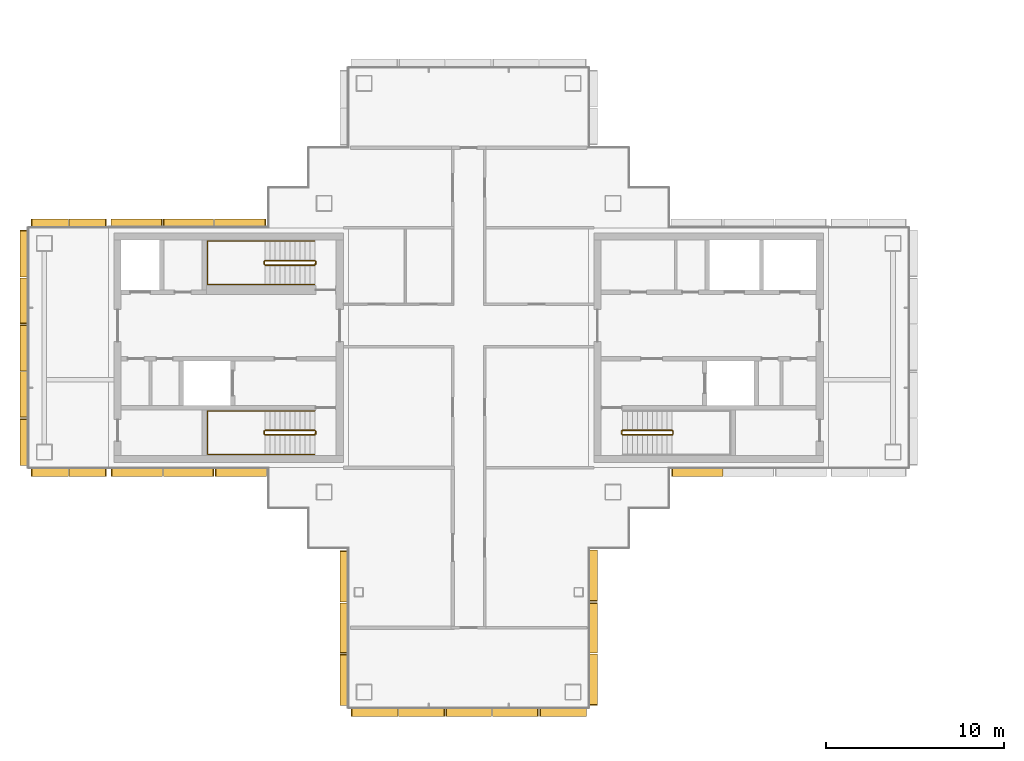
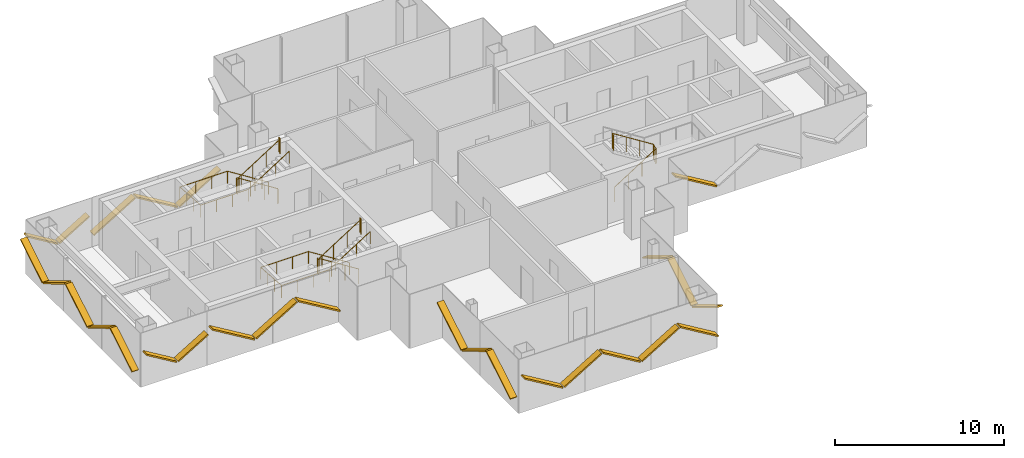
# One storey, part 14 of 17: 27 shading devices, 5 railings.
"""IFC4 building model written with IfcOpenShell, lengths in metres."""

from ifc_helpers import new_model, si_unit, direction, frame, origin, origin_2d, place, context, subcontext, project, spatial, rectangle, circle, extrude, material, material_profile, profile_set, type_object, element, save


model = new_model("IFC4")

# Units and contexts
model_context = context("Model", 3, precision=1e-05, world=origin(), true_north=direction((0.0, 1.0)))
body_context = subcontext(model_context, "Body", "Model", "MODEL_VIEW")
ifc_project = project(units=[si_unit("LENGTHUNIT", "METRE"), si_unit("AREAUNIT", "SQUARE_METRE"), si_unit("VOLUMEUNIT", "CUBIC_METRE"), si_unit("PLANEANGLEUNIT", "RADIAN"), si_unit("MASSUNIT", "GRAM", prefix="KILO")], contexts=[model_context])

# Site, building, storey
site_placement = place(None, origin())
site = spatial("IfcSite", under=ifc_project, at=site_placement, CompositionType="ELEMENT")
building_placement = place(site_placement, origin())
building = spatial("IfcBuilding", under=site, at=building_placement, Name="Shamsa Quay Exchange Towers", CompositionType="ELEMENT")
storey_placement = place(building_placement, frame((0.0, 0.0, 230.39990234375)))
storey = spatial("IfcBuildingStorey", under=building, at=storey_placement, Name="L55", CompositionType="ELEMENT", Elevation=230.39990234375)

# Shading devices
ifc_material_1 = material(Name="Aluminium EN AW-6063 T6, black anodised", Category="aluminium")
ifc_material_profile = material_profile(ifc_material_1, rectangle(XDim=0.449951171875, YDim=0.10009765625, at=origin_2d()), Name="FIN450x100")
ifc_profile_set = profile_set([ifc_material_profile], Name="Aluminium EN AW-6063 T6, black anodised")
shading_device_type = type_object("IfcShadingDeviceType", Name="FIN 450x100 BLACK ALUMINIUM", PredefinedType="USERDEFINED", material=ifc_profile_set)
shading_device_1_placement = place(storey_placement, frame((-40.764892578125, -11.43798828125, 2.45263671875), z_axis=(0.0, -0.857141320927, -0.515081310046), x_axis=(1.0, 0.0, 0.0)))
element("IfcShadingDevice", 1, at=shading_device_1_placement, inside=storey, type_object=shading_device_type, Name="FIN T1 chevron rib", ObjectType="FIN", PredefinedType="USERDEFINED", context=body_context, shape_type="SweptSolid", body=[
    extrude(rectangle(XDim=0.449951171875, YDim=0.10009765625, at=origin_2d()), origin(), (0.0, 0.0, 1.0), 3.310302734375),
])
shading_device_2_placement = place(storey_placement, frame((-40.764892578125, -14.375244140625, 0.7626953125), z_axis=(0.0, -0.857168152113, 0.515036657922), x_axis=(1.0, 0.0, 0.0)))
element("IfcShadingDevice", 2, at=shading_device_2_placement, inside=storey, type_object=shading_device_type, Name="FIN T1 chevron rib", ObjectType="FIN", PredefinedType="USERDEFINED", context=body_context, shape_type="SweptSolid", body=[
    extrude(rectangle(XDim=0.449951171875, YDim=0.10009765625, at=origin_2d()), origin(), (0.0, 0.0, 1.0), 3.251708984375),
])
shading_device_3_placement = place(storey_placement, frame((-40.764892578125, -17.2626953125, 2.45263671875), z_axis=(0.0, -0.857141320927, -0.515081310046), x_axis=(1.0, 0.0, 0.0)))
element("IfcShadingDevice", 3, at=shading_device_3_placement, inside=storey, type_object=shading_device_type, Name="FIN T1 chevron rib", ObjectType="FIN", PredefinedType="USERDEFINED", context=body_context, shape_type="SweptSolid", body=[
    extrude(rectangle(XDim=0.449951171875, YDim=0.10009765625, at=origin_2d()), origin(), (0.0, 0.0, 1.0), 3.310302734375),
])
shading_device_4_placement = place(storey_placement, frame((-40.35009765625, -20.514892578125, 2.378173828125), z_axis=(0.857186216295, 0.0, -0.515006592767), x_axis=(0.0, 1.0, 0.0)))
element("IfcShadingDevice", 4, at=shading_device_4_placement, inside=storey, type_object=shading_device_type, Name="FIN T1 chevron rib", ObjectType="FIN", PredefinedType="USERDEFINED", context=body_context, shape_type="SweptSolid", body=[
    extrude(rectangle(XDim=0.449951171875, YDim=0.10009765625, at=origin_2d()), origin(), (0.0, 0.0, 1.0), 3.021728515625),
])
shading_device_5_placement = place(storey_placement, frame((-37.659912109375, -20.514892578125, 0.8369140625), z_axis=(0.857121939939, 0.0, 0.515113560367), x_axis=(0.0, 1.0, 0.0)))
element("IfcShadingDevice", 5, at=shading_device_5_placement, inside=storey, type_object=shading_device_type, Name="FIN T1 chevron rib", ObjectType="FIN", PredefinedType="USERDEFINED", context=body_context, shape_type="SweptSolid", body=[
    extrude(rectangle(XDim=0.449951171875, YDim=0.10009765625, at=origin_2d()), origin(), (0.0, 0.0, 1.0), 2.963134765625),
])
shading_device_6_placement = place(storey_placement, frame((-35.02001953125, -20.514892578125, 2.36328125), z_axis=(0.857143799628, 0.0, -0.515077185244), x_axis=(0.0, 1.0, 0.0)))
element("IfcShadingDevice", 6, at=shading_device_6_placement, inside=storey, type_object=shading_device_type, Name="FIN T1 chevron rib", ObjectType="FIN", PredefinedType="USERDEFINED", context=body_context, shape_type="SweptSolid", body=[
    extrude(rectangle(XDim=0.449951171875, YDim=0.10009765625, at=origin_2d()), origin(), (0.0, 0.0, 1.0), 2.96337890625),
])
shading_device_7_placement = place(storey_placement, frame((-32.3798828125, -20.514892578125, 0.8369140625), z_axis=(0.857121939939, 0.0, 0.515113560367), x_axis=(0.0, 1.0, 0.0)))
element("IfcShadingDevice", 7, at=shading_device_7_placement, inside=storey, type_object=shading_device_type, Name="FIN T1 chevron rib", ObjectType="FIN", PredefinedType="USERDEFINED", context=body_context, shape_type="SweptSolid", body=[
    extrude(rectangle(XDim=0.449951171875, YDim=0.10009765625, at=origin_2d()), origin(), (0.0, 0.0, 1.0), 2.963134765625),
])
shading_device_8_placement = place(storey_placement, frame((-29.739990234375, -20.514892578125, 2.378173828125), z_axis=(0.857186216295, 0.0, -0.515006592767), x_axis=(0.0, 1.0, 0.0)))
element("IfcShadingDevice", 8, at=shading_device_8_placement, inside=storey, type_object=shading_device_type, Name="FIN T1 chevron rib", ObjectType="FIN", PredefinedType="USERDEFINED", context=body_context, shape_type="SweptSolid", body=[
    extrude(rectangle(XDim=0.449951171875, YDim=0.10009765625, at=origin_2d()), origin(), (0.0, 0.0, 1.0), 3.021728515625),
])
shading_device_9_placement = place(storey_placement, frame((-26.735107421875, -20.10009765625, 2.456298828125), z_axis=(0.0, 0.857181785947, -0.515013966646), x_axis=(-1.0, 0.0, 0.0)))
element("IfcShadingDevice", 9, at=shading_device_9_placement, inside=storey, type_object=shading_device_type, Name="FIN T1 chevron rib", ObjectType="FIN", PredefinedType="USERDEFINED", context=body_context, shape_type="SweptSolid", body=[
    extrude(rectangle(XDim=0.449951171875, YDim=0.10009765625, at=origin_2d()), origin(), (0.0, 0.0, 1.0), 3.324951171875),
])
shading_device_10_placement = place(storey_placement, frame((-26.735107421875, -17.14990234375, 0.7587890625), z_axis=(0.0, 0.857123399088, 0.515111132413), x_axis=(-1.0, 0.0, 0.0)))
element("IfcShadingDevice", 10, at=shading_device_10_placement, inside=storey, type_object=shading_device_type, Name="FIN T1 chevron rib", ObjectType="FIN", PredefinedType="USERDEFINED", context=body_context, shape_type="SweptSolid", body=[
    extrude(rectangle(XDim=0.449951171875, YDim=0.10009765625, at=origin_2d()), origin(), (0.0, 0.0, 1.0), 3.2666015625),
])
shading_device_11_placement = place(storey_placement, frame((-26.735107421875, -14.25, 2.456298828125), z_axis=(0.0, 0.857181785947, -0.515013966646), x_axis=(-1.0, 0.0, 0.0)))
element("IfcShadingDevice", 11, at=shading_device_11_placement, inside=storey, type_object=shading_device_type, Name="FIN T1 chevron rib", ObjectType="FIN", PredefinedType="USERDEFINED", context=body_context, shape_type="SweptSolid", body=[
    extrude(rectangle(XDim=0.449951171875, YDim=0.10009765625, at=origin_2d()), origin(), (0.0, 0.0, 1.0), 3.324951171875),
])
for number, where, z_axis, x_axis, name in (
    (12, (-22.31201171875, -7.01904296875, 2.45263671875), (0.857141320927, 0.0, -0.515081310046), (0.0, 1.0, 0.0), "FIN T1 chevron rib"),
    (13, (-45.18798828125, 7.01904296875, 2.45263671875), (-0.857141320927, 0.0, -0.515081310046), (0.0, -1.0, 0.0), "FIN T1 chevron rib"),
):
    element("IfcShadingDevice", number, at=place(storey_placement, frame(where, z_axis=z_axis, x_axis=x_axis)), inside=storey, type_object=shading_device_type, Name=name, ObjectType="FIN", PredefinedType="USERDEFINED", context=body_context, shape_type="SweptSolid", body=[
        extrude(rectangle(XDim=0.449951171875, YDim=0.10009765625, at=origin_2d()), origin(), (0.0, 0.0, 1.0), 3.310302734375),
    ])
shading_device_12_placement = place(storey_placement, frame((-48.125244140625, 7.01904296875, 0.7626953125), z_axis=(-0.857168152113, 0.0, 0.515036657922), x_axis=(0.0, -1.0, 0.0)))
element("IfcShadingDevice", 14, at=shading_device_12_placement, inside=storey, type_object=shading_device_type, Name="FIN T1 chevron rib", ObjectType="FIN", PredefinedType="USERDEFINED", context=body_context, shape_type="SweptSolid", body=[
    extrude(rectangle(XDim=0.449951171875, YDim=0.10009765625, at=origin_2d()), origin(), (0.0, 0.0, 1.0), 3.251708984375),
])
shading_device_13_placement = place(storey_placement, frame((-51.0126953125, 7.01904296875, 2.45263671875), z_axis=(-0.857141320927, 0.0, -0.515081310046), x_axis=(0.0, -1.0, 0.0)))
element("IfcShadingDevice", 15, at=shading_device_13_placement, inside=storey, type_object=shading_device_type, Name="FIN T1 chevron rib", ObjectType="FIN", PredefinedType="USERDEFINED", context=body_context, shape_type="SweptSolid", body=[
    extrude(rectangle(XDim=0.449951171875, YDim=0.10009765625, at=origin_2d()), origin(), (0.0, 0.0, 1.0), 3.310302734375),
])
for number, where, z_axis, x_axis, name in (
    (16, (-54.14990234375, 7.014892578125, 2.216064453125), (-0.857141460525, 0.0, -0.515081077743), (0.0, -1.0, 0.0), "FIN T1 chevron rib"),
    (17, (-56.300048828125, 7.014892578125, 0.984130859375), (-0.857141460525, 0.0, 0.515081077743), (0.0, -1.0, 0.0), "FIN T1 chevron rib"),
):
    element("IfcShadingDevice", number, at=place(storey_placement, frame(where, z_axis=z_axis, x_axis=x_axis)), inside=storey, type_object=shading_device_type, Name=name, ObjectType="FIN", PredefinedType="USERDEFINED", context=body_context, shape_type="SweptSolid", body=[
        extrude(rectangle(XDim=0.449951171875, YDim=0.10009765625, at=origin_2d()), origin(), (0.0, 0.0, 1.0), 2.391845703125),
    ])
shading_device_14_placement = place(storey_placement, frame((-58.764892578125, 6.60009765625, 2.378173828125), z_axis=(0.0, -0.857186216295, -0.515006592767), x_axis=(1.0, 0.0, 0.0)))
element("IfcShadingDevice", 18, at=shading_device_14_placement, inside=storey, type_object=shading_device_type, Name="FIN T1 chevron rib", ObjectType="FIN", PredefinedType="USERDEFINED", context=body_context, shape_type="SweptSolid", body=[
    extrude(rectangle(XDim=0.449951171875, YDim=0.10009765625, at=origin_2d()), origin(), (0.0, 0.0, 1.0), 3.021728515625),
])
shading_device_15_placement = place(storey_placement, frame((-58.764892578125, 3.909912109375, 0.8369140625), z_axis=(0.0, -0.857121939939, 0.515113560367), x_axis=(1.0, 0.0, 0.0)))
element("IfcShadingDevice", 19, at=shading_device_15_placement, inside=storey, type_object=shading_device_type, Name="FIN T1 chevron rib", ObjectType="FIN", PredefinedType="USERDEFINED", context=body_context, shape_type="SweptSolid", body=[
    extrude(rectangle(XDim=0.449951171875, YDim=0.10009765625, at=origin_2d()), origin(), (0.0, 0.0, 1.0), 2.963134765625),
])
shading_device_16_placement = place(storey_placement, frame((-58.764892578125, 1.27001953125, 2.36328125), z_axis=(0.0, -0.857143799628, -0.515077185244), x_axis=(1.0, 0.0, 0.0)))
element("IfcShadingDevice", 20, at=shading_device_16_placement, inside=storey, type_object=shading_device_type, Name="FIN T1 chevron rib", ObjectType="FIN", PredefinedType="USERDEFINED", context=body_context, shape_type="SweptSolid", body=[
    extrude(rectangle(XDim=0.449951171875, YDim=0.10009765625, at=origin_2d()), origin(), (0.0, 0.0, 1.0), 2.96337890625),
])
shading_device_17_placement = place(storey_placement, frame((-58.764892578125, -1.3701171875, 0.8369140625), z_axis=(0.0, -0.857121939939, 0.515113560367), x_axis=(1.0, 0.0, 0.0)))
element("IfcShadingDevice", 21, at=shading_device_17_placement, inside=storey, type_object=shading_device_type, Name="FIN T1 chevron rib", ObjectType="FIN", PredefinedType="USERDEFINED", context=body_context, shape_type="SweptSolid", body=[
    extrude(rectangle(XDim=0.449951171875, YDim=0.10009765625, at=origin_2d()), origin(), (0.0, 0.0, 1.0), 2.963134765625),
])
shading_device_18_placement = place(storey_placement, frame((-58.764892578125, -4.010009765625, 2.378173828125), z_axis=(0.0, -0.857186216295, -0.515006592767), x_axis=(1.0, 0.0, 0.0)))
element("IfcShadingDevice", 22, at=shading_device_18_placement, inside=storey, type_object=shading_device_type, Name="FIN T1 chevron rib", ObjectType="FIN", PredefinedType="USERDEFINED", context=body_context, shape_type="SweptSolid", body=[
    extrude(rectangle(XDim=0.449951171875, YDim=0.10009765625, at=origin_2d()), origin(), (0.0, 0.0, 1.0), 3.021728515625),
])
for number, where, z_axis, x_axis, name in (
    (23, (-58.35009765625, -7.014892578125, 2.216064453125), (0.857141460525, 0.0, -0.515081077743), (0.0, 1.0, 0.0), "FIN T1 chevron rib"),
    (24, (-56.199951171875, -7.014892578125, 0.984130859375), (0.857141460525, 0.0, 0.515081077743), (0.0, 1.0, 0.0), "FIN T1 chevron rib"),
):
    element("IfcShadingDevice", number, at=place(storey_placement, frame(where, z_axis=z_axis, x_axis=x_axis)), inside=storey, type_object=shading_device_type, Name=name, ObjectType="FIN", PredefinedType="USERDEFINED", context=body_context, shape_type="SweptSolid", body=[
        extrude(rectangle(XDim=0.449951171875, YDim=0.10009765625, at=origin_2d()), origin(), (0.0, 0.0, 1.0), 2.391845703125),
    ])
shading_device_19_placement = place(storey_placement, frame((-53.85009765625, -7.01904296875, 2.456298828125), z_axis=(0.857181785947, 0.0, -0.515013966646), x_axis=(0.0, 1.0, 0.0)))
element("IfcShadingDevice", 25, at=shading_device_19_placement, inside=storey, type_object=shading_device_type, Name="FIN T1 chevron rib", ObjectType="FIN", PredefinedType="USERDEFINED", context=body_context, shape_type="SweptSolid", body=[
    extrude(rectangle(XDim=0.449951171875, YDim=0.10009765625, at=origin_2d()), origin(), (0.0, 0.0, 1.0), 3.324951171875),
])
shading_device_20_placement = place(storey_placement, frame((-50.89990234375, -7.01904296875, 0.7587890625), z_axis=(0.857123399088, 0.0, 0.515111132413), x_axis=(0.0, 1.0, 0.0)))
element("IfcShadingDevice", 26, at=shading_device_20_placement, inside=storey, type_object=shading_device_type, Name="FIN T1 chevron rib", ObjectType="FIN", PredefinedType="USERDEFINED", context=body_context, shape_type="SweptSolid", body=[
    extrude(rectangle(XDim=0.449951171875, YDim=0.10009765625, at=origin_2d()), origin(), (0.0, 0.0, 1.0), 3.2666015625),
])
shading_device_21_placement = place(storey_placement, frame((-48.0, -7.01904296875, 2.456298828125), z_axis=(0.857181785947, 0.0, -0.515013966646), x_axis=(0.0, 1.0, 0.0)))
element("IfcShadingDevice", 27, at=shading_device_21_placement, inside=storey, type_object=shading_device_type, Name="FIN T1 chevron rib", ObjectType="FIN", PredefinedType="USERDEFINED", context=body_context, shape_type="SweptSolid", body=[
    extrude(rectangle(XDim=0.449951171875, YDim=0.10009765625, at=origin_2d()), origin(), (0.0, 0.0, 1.0), 3.324951171875),
])

# Railings
ifc_material_2 = material(Name="Stainless steel", Category="steel")
railing_type_1 = type_object("IfcRailingType", Name="STAIR GUARD 1100", PredefinedType="GUARDRAIL", material=ifc_material_2)
railing_1_placement = place(storey_placement, frame((-25.10009765625, -4.89990234375, 0.177490234375)))
element("IfcRailing", 28, at=railing_1_placement, inside=storey, type_object=railing_type_1, Name="L55 ST1 stair guard 1", PredefinedType="GUARDRAIL", context=body_context, shape_type="SweptSolid", body=[
    extrude(circle(Radius=0.02392578125, at=origin_2d()), frame((0.0, 0.0, 1.076171875), z_axis=(0.844908973607, 0.0, 0.534910110503), x_axis=(0.0, 1.0, 0.0)), (0.0, 0.0, 1.0), 3.31396484375),
    extrude(circle(Radius=0.02392578125, at=origin_2d()), frame((2.800048828125, 0.0, 2.8486328125), z_axis=(0.708833529934, 0.705375805398, 0.0), x_axis=(-0.705375805398, 0.708833529934, 0.0)), (0.0, 0.0, 1.0), 0.070556640625),
    extrude(circle(Radius=0.02392578125, at=origin_2d()), frame((2.85009765625, 0.0498046875, 2.8486328125), z_axis=(0.0, 1.0, 0.0), x_axis=(-1.0, 0.0, 0.0)), (0.0, 0.0, 1.0), 0.150146484375),
    extrude(circle(Radius=0.02392578125, at=origin_2d()), frame((2.85009765625, 0.199951171875, 2.8486328125), z_axis=(-0.262233686654, 0.262233686654, 0.928691007369), x_axis=(-0.707106781187, -0.707106781187, 0.0)), (0.0, 0.0, 1.0), 0.19091796875),
    extrude(circle(Radius=0.02392578125, at=origin_2d()), frame((2.800048828125, 0.25, 3.02587890625), z_axis=(-0.844908973607, 0.0, 0.534910110503), x_axis=(0.0, -1.0, 0.0)), (0.0, 0.0, 1.0), 3.31396484375),
    extrude(circle(Radius=0.02392578125, at=origin_2d()), frame((0.0, 0.25, 4.798828125), z_axis=(-0.24142163986, -0.970420317083, 0.0), x_axis=(0.970420317083, -0.24142163986, 0.0)), (0.0, 0.0, 1.0), 0.206298828125),
    extrude(circle(Radius=0.02392578125, at=origin_2d()), frame((-0.0498046875, 0.0498046875, 4.798828125), z_axis=(0.0, 1.0, 0.0), x_axis=(-1.0, 0.0, 0.0)), (0.0, 0.0, 1.0), 0.150146484375),
    extrude(circle(Radius=0.02099609375, at=origin_2d()), origin(), (0.0, 0.0, 1.0), 1.052001953125),
    extrude(circle(Radius=0.02099609375, at=origin_2d()), frame((0.933349609375, 0.0, 0.5908203125)), (0.0, 0.0, 1.0), 1.052001953125),
    extrude(circle(Radius=0.02099609375, at=origin_2d()), frame((1.86669921875, 0.0, 1.181884765625)), (0.0, 0.0, 1.0), 1.052001953125),
    extrude(circle(Radius=0.02099609375, at=origin_2d()), frame((2.800048828125, 0.0, 1.772705078125)), (0.0, 0.0, 1.0), 1.052001953125),
    extrude(circle(Radius=0.02099609375, at=origin_2d()), frame((2.85009765625, 0.0498046875, 1.772705078125)), (0.0, 0.0, 1.0), 1.052001953125),
    extrude(circle(Radius=0.02099609375, at=origin_2d()), frame((2.85009765625, 0.199951171875, 1.772705078125)), (0.0, 0.0, 1.0), 1.052001953125),
    extrude(circle(Radius=0.02099609375, at=origin_2d()), frame((2.800048828125, 0.25, 1.949951171875)), (0.0, 0.0, 1.0), 1.052001953125),
    extrude(circle(Radius=0.02099609375, at=origin_2d()), frame((1.86669921875, 0.25, 2.540771484375)), (0.0, 0.0, 1.0), 1.052001953125),
    extrude(circle(Radius=0.02099609375, at=origin_2d()), frame((0.933349609375, 0.25, 3.1318359375)), (0.0, 0.0, 1.0), 1.052001953125),
    extrude(circle(Radius=0.02099609375, at=origin_2d()), frame((0.0, 0.25, 3.72265625)), (0.0, 0.0, 1.0), 1.052001953125),
    extrude(circle(Radius=0.02099609375, at=origin_2d()), frame((-0.0498046875, 0.0498046875, 3.72265625)), (0.0, 0.0, 1.0), 1.052001953125),
    extrude(circle(Radius=0.02099609375, at=origin_2d()), frame((-0.0498046875, 0.199951171875, 3.72265625)), (0.0, 0.0, 1.0), 1.052001953125),
])
railing_2_placement = place(storey_placement, frame((-42.39990234375, -4.64990234375, 0.177490234375)))
element("IfcRailing", 29, at=railing_2_placement, inside=storey, type_object=railing_type_1, Name="L55 ST2 stair guard 1", PredefinedType="GUARDRAIL", context=body_context, shape_type="SweptSolid", body=[
    extrude(circle(Radius=0.02392578125, at=origin_2d()), frame((0.0, 0.0, 1.076171875), z_axis=(-0.844908973607, 0.0, 0.534910110503), x_axis=(0.0, -1.0, 0.0)), (0.0, 0.0, 1.0), 3.31396484375),
    extrude(circle(Radius=0.02392578125, at=origin_2d()), frame((-2.800048828125, 0.0, 2.8486328125), z_axis=(-0.707106781187, -0.707106781187, 0.0), x_axis=(0.707106781187, -0.707106781187, 0.0)), (0.0, 0.0, 1.0), 0.07080078125),
    extrude(circle(Radius=0.02392578125, at=origin_2d()), frame((-2.85009765625, -0.050048828125, 2.8486328125), z_axis=(0.0, -1.0, 0.0), x_axis=(1.0, 0.0, 0.0)), (0.0, 0.0, 1.0), 0.150146484375),
    extrude(circle(Radius=0.02392578125, at=origin_2d()), frame((-2.85009765625, -0.2001953125, 2.8486328125), z_axis=(0.262321481514, -0.261041864531, 0.929001929653), x_axis=(0.705375805398, 0.708833529934, 0.0)), (0.0, 0.0, 1.0), 0.190673828125),
    extrude(circle(Radius=0.02392578125, at=origin_2d()), frame((-2.800048828125, -0.25, 3.02587890625), z_axis=(0.844908973607, 0.0, 0.534910110503), x_axis=(0.0, 1.0, 0.0)), (0.0, 0.0, 1.0), 3.31396484375),
    extrude(circle(Radius=0.02392578125, at=origin_2d()), frame((0.0, -0.25, 4.798828125), z_axis=(0.241699205484, 0.970351222016, 0.0), x_axis=(-0.970351222016, 0.241699205484, 0.0)), (0.0, 0.0, 1.0), 0.2060546875),
    extrude(circle(Radius=0.02392578125, at=origin_2d()), frame((0.0498046875, -0.050048828125, 4.798828125), z_axis=(0.0, -1.0, 0.0), x_axis=(1.0, 0.0, 0.0)), (0.0, 0.0, 1.0), 0.150146484375),
    extrude(circle(Radius=0.02099609375, at=origin_2d()), origin(), (0.0, 0.0, 1.0), 1.052001953125),
    extrude(circle(Radius=0.02099609375, at=origin_2d()), frame((-0.933349609375, 0.0, 0.5908203125)), (0.0, 0.0, 1.0), 1.052001953125),
    extrude(circle(Radius=0.02099609375, at=origin_2d()), frame((-1.86669921875, 0.0, 1.181884765625)), (0.0, 0.0, 1.0), 1.052001953125),
    extrude(circle(Radius=0.02099609375, at=origin_2d()), frame((-2.800048828125, 0.0, 1.772705078125)), (0.0, 0.0, 1.0), 1.052001953125),
    extrude(circle(Radius=0.02099609375, at=origin_2d()), frame((-2.85009765625, -0.050048828125, 1.772705078125)), (0.0, 0.0, 1.0), 1.052001953125),
    extrude(circle(Radius=0.02099609375, at=origin_2d()), frame((-2.85009765625, -0.2001953125, 1.772705078125)), (0.0, 0.0, 1.0), 1.052001953125),
    extrude(circle(Radius=0.02099609375, at=origin_2d()), frame((-2.800048828125, -0.25, 1.949951171875)), (0.0, 0.0, 1.0), 1.052001953125),
    extrude(circle(Radius=0.02099609375, at=origin_2d()), frame((-1.86669921875, -0.25, 2.540771484375)), (0.0, 0.0, 1.0), 1.052001953125),
    extrude(circle(Radius=0.02099609375, at=origin_2d()), frame((-0.933349609375, -0.25, 3.1318359375)), (0.0, 0.0, 1.0), 1.052001953125),
    extrude(circle(Radius=0.02099609375, at=origin_2d()), frame((0.0, -0.25, 3.72265625)), (0.0, 0.0, 1.0), 1.052001953125),
    extrude(circle(Radius=0.02099609375, at=origin_2d()), frame((0.0498046875, -0.050048828125, 3.72265625)), (0.0, 0.0, 1.0), 1.052001953125),
    extrude(circle(Radius=0.02099609375, at=origin_2d()), frame((0.0498046875, -0.2001953125, 3.72265625)), (0.0, 0.0, 1.0), 1.052001953125),
])
railing_3_placement = place(storey_placement, frame((-42.39990234375, 4.89990234375, 0.177490234375)))
element("IfcRailing", 30, at=railing_3_placement, inside=storey, type_object=railing_type_1, Name="L55 ST3 stair guard 1", PredefinedType="GUARDRAIL", context=body_context, shape_type="SweptSolid", body=[
    extrude(circle(Radius=0.02392578125, at=origin_2d()), frame((0.0, 0.0, 1.076171875), z_axis=(-0.844908973607, 0.0, 0.534910110503), x_axis=(0.0, -1.0, 0.0)), (0.0, 0.0, 1.0), 3.31396484375),
    extrude(circle(Radius=0.02392578125, at=origin_2d()), frame((-2.800048828125, 0.0, 2.8486328125), z_axis=(-0.708833529934, -0.705375805398, 0.0), x_axis=(0.705375805398, -0.708833529934, 0.0)), (0.0, 0.0, 1.0), 0.070556640625),
    extrude(circle(Radius=0.02392578125, at=origin_2d()), frame((-2.85009765625, -0.0498046875, 2.8486328125), z_axis=(0.0, -1.0, 0.0), x_axis=(1.0, 0.0, 0.0)), (0.0, 0.0, 1.0), 0.150146484375),
    extrude(circle(Radius=0.02392578125, at=origin_2d()), frame((-2.85009765625, -0.199951171875, 2.8486328125), z_axis=(0.262233686654, -0.262233686654, 0.928691007369), x_axis=(0.707106781187, 0.707106781187, 0.0)), (0.0, 0.0, 1.0), 0.19091796875),
    extrude(circle(Radius=0.02392578125, at=origin_2d()), frame((-2.800048828125, -0.25, 3.02587890625), z_axis=(0.844908973607, 0.0, 0.534910110503), x_axis=(0.0, 1.0, 0.0)), (0.0, 0.0, 1.0), 3.31396484375),
    extrude(circle(Radius=0.02392578125, at=origin_2d()), frame((0.0, -0.25, 4.798828125), z_axis=(0.24142163986, 0.970420317083, 0.0), x_axis=(-0.970420317083, 0.24142163986, 0.0)), (0.0, 0.0, 1.0), 0.206298828125),
    extrude(circle(Radius=0.02392578125, at=origin_2d()), frame((0.0498046875, -0.0498046875, 4.798828125), z_axis=(0.0, -1.0, 0.0), x_axis=(1.0, 0.0, 0.0)), (0.0, 0.0, 1.0), 0.150146484375),
    extrude(circle(Radius=0.02099609375, at=origin_2d()), origin(), (0.0, 0.0, 1.0), 1.052001953125),
    extrude(circle(Radius=0.02099609375, at=origin_2d()), frame((-0.933349609375, 0.0, 0.5908203125)), (0.0, 0.0, 1.0), 1.052001953125),
    extrude(circle(Radius=0.02099609375, at=origin_2d()), frame((-1.86669921875, 0.0, 1.181884765625)), (0.0, 0.0, 1.0), 1.052001953125),
    extrude(circle(Radius=0.02099609375, at=origin_2d()), frame((-2.800048828125, 0.0, 1.772705078125)), (0.0, 0.0, 1.0), 1.052001953125),
    extrude(circle(Radius=0.02099609375, at=origin_2d()), frame((-2.85009765625, -0.0498046875, 1.772705078125)), (0.0, 0.0, 1.0), 1.052001953125),
    extrude(circle(Radius=0.02099609375, at=origin_2d()), frame((-2.85009765625, -0.199951171875, 1.772705078125)), (0.0, 0.0, 1.0), 1.052001953125),
    extrude(circle(Radius=0.02099609375, at=origin_2d()), frame((-2.800048828125, -0.25, 1.949951171875)), (0.0, 0.0, 1.0), 1.052001953125),
    extrude(circle(Radius=0.02099609375, at=origin_2d()), frame((-1.86669921875, -0.25, 2.540771484375)), (0.0, 0.0, 1.0), 1.052001953125),
    extrude(circle(Radius=0.02099609375, at=origin_2d()), frame((-0.933349609375, -0.25, 3.1318359375)), (0.0, 0.0, 1.0), 1.052001953125),
    extrude(circle(Radius=0.02099609375, at=origin_2d()), frame((0.0, -0.25, 3.72265625)), (0.0, 0.0, 1.0), 1.052001953125),
    extrude(circle(Radius=0.02099609375, at=origin_2d()), frame((0.0498046875, -0.0498046875, 3.72265625)), (0.0, 0.0, 1.0), 1.052001953125),
    extrude(circle(Radius=0.02099609375, at=origin_2d()), frame((0.0498046875, -0.199951171875, 3.72265625)), (0.0, 0.0, 1.0), 1.052001953125),
])
railing_type_2 = type_object("IfcRailingType", Name="STAIR HANDRAIL 900", PredefinedType="HANDRAIL", material=ifc_material_2)
railing_4_placement = place(storey_placement, frame((-42.39990234375, -3.550048828125, 0.177490234375)))
element("IfcRailing", 31, at=railing_4_placement, inside=storey, type_object=railing_type_2, Name="L55 ST2 stair handrail 1", PredefinedType="HANDRAIL", context=body_context, shape_type="SweptSolid", body=[
    extrude(circle(Radius=0.02392578125, at=origin_2d()), frame((0.0, 0.0, 0.8759765625), z_axis=(-0.844908973607, 0.0, 0.534910110503), x_axis=(0.0, -1.0, 0.0)), (0.0, 0.0, 1.0), 3.31396484375),
    extrude(circle(Radius=0.02392578125, at=origin_2d()), frame((-2.800048828125, 0.0, 2.6484375), z_axis=(-1.0, 0.0, 0.0), x_axis=(0.0, -1.0, 0.0)), (0.0, 0.0, 1.0), 3.25),
    extrude(circle(Radius=0.02392578125, at=origin_2d()), frame((-6.050048828125, 0.0, 2.6484375), z_axis=(0.0, -0.997393199914, 0.07215819264), x_axis=(1.0, 0.0, 0.0)), (0.0, 0.0, 1.0), 2.456298828125),
    extrude(circle(Radius=0.02392578125, at=origin_2d()), frame((-6.050048828125, -2.449951171875, 2.82568359375), z_axis=(1.0, 0.0, 0.0), x_axis=(0.0, 1.0, 0.0)), (0.0, 0.0, 1.0), 3.25),
    extrude(circle(Radius=0.02392578125, at=origin_2d()), frame((-2.800048828125, -2.449951171875, 2.82568359375), z_axis=(0.844908973607, 0.0, 0.534910110503), x_axis=(0.0, 1.0, 0.0)), (0.0, 0.0, 1.0), 3.31396484375),
    extrude(circle(Radius=0.02099609375, at=origin_2d()), origin(), (0.0, 0.0, 1.0), 0.851806640625),
    extrude(circle(Radius=0.02099609375, at=origin_2d()), frame((-0.933349609375, 0.0, 0.5908203125)), (0.0, 0.0, 1.0), 0.851806640625),
    extrude(circle(Radius=0.02099609375, at=origin_2d()), frame((-1.86669921875, 0.0, 1.181884765625)), (0.0, 0.0, 1.0), 0.851806640625),
    extrude(circle(Radius=0.02099609375, at=origin_2d()), frame((-2.800048828125, 0.0, 1.772705078125)), (0.0, 0.0, 1.0), 0.851806640625),
    extrude(circle(Radius=0.02099609375, at=origin_2d()), frame((-3.88330078125, 0.0, 1.772705078125)), (0.0, 0.0, 1.0), 0.851806640625),
    extrude(circle(Radius=0.02099609375, at=origin_2d()), frame((-4.966796875, 0.0, 1.772705078125)), (0.0, 0.0, 1.0), 0.851806640625),
    extrude(circle(Radius=0.02099609375, at=origin_2d()), frame((-6.050048828125, 0.0, 1.772705078125)), (0.0, 0.0, 1.0), 0.851806640625),
    extrude(circle(Radius=0.02099609375, at=origin_2d()), frame((-6.050048828125, -0.816650390625, 1.831787109375)), (0.0, 0.0, 1.0), 0.851806640625),
    extrude(circle(Radius=0.02099609375, at=origin_2d()), frame((-6.050048828125, -1.63330078125, 1.890869140625)), (0.0, 0.0, 1.0), 0.851806640625),
    extrude(circle(Radius=0.02099609375, at=origin_2d()), frame((-6.050048828125, -2.449951171875, 1.949951171875)), (0.0, 0.0, 1.0), 0.851806640625),
    extrude(circle(Radius=0.02099609375, at=origin_2d()), frame((-4.966796875, -2.449951171875, 1.949951171875)), (0.0, 0.0, 1.0), 0.851806640625),
    extrude(circle(Radius=0.02099609375, at=origin_2d()), frame((-3.88330078125, -2.449951171875, 1.949951171875)), (0.0, 0.0, 1.0), 0.851806640625),
    extrude(circle(Radius=0.02099609375, at=origin_2d()), frame((-2.800048828125, -2.449951171875, 1.949951171875)), (0.0, 0.0, 1.0), 0.851806640625),
    extrude(circle(Radius=0.02099609375, at=origin_2d()), frame((-1.86669921875, -2.449951171875, 2.540771484375)), (0.0, 0.0, 1.0), 0.851806640625),
    extrude(circle(Radius=0.02099609375, at=origin_2d()), frame((-0.933349609375, -2.449951171875, 3.1318359375)), (0.0, 0.0, 1.0), 0.851806640625),
    extrude(circle(Radius=0.02099609375, at=origin_2d()), frame((0.0, -2.449951171875, 3.72265625)), (0.0, 0.0, 1.0), 0.851806640625),
])
railing_5_placement = place(storey_placement, frame((-42.39990234375, 6.0, 0.177490234375)))
element("IfcRailing", 32, at=railing_5_placement, inside=storey, type_object=railing_type_2, Name="L55 ST3 stair handrail 1", PredefinedType="HANDRAIL", context=body_context, shape_type="SweptSolid", body=[
    extrude(circle(Radius=0.02392578125, at=origin_2d()), frame((0.0, 0.0, 0.8759765625), z_axis=(-0.844908973607, 0.0, 0.534910110503), x_axis=(0.0, -1.0, 0.0)), (0.0, 0.0, 1.0), 3.31396484375),
    extrude(circle(Radius=0.02392578125, at=origin_2d()), frame((-2.800048828125, 0.0, 2.6484375), z_axis=(-1.0, 0.0, 0.0), x_axis=(0.0, -1.0, 0.0)), (0.0, 0.0, 1.0), 3.25),
    extrude(circle(Radius=0.02392578125, at=origin_2d()), frame((-6.050048828125, 0.0, 2.6484375), z_axis=(0.0, -0.997393199914, 0.07215819264), x_axis=(1.0, 0.0, 0.0)), (0.0, 0.0, 1.0), 2.456298828125),
    extrude(circle(Radius=0.02392578125, at=origin_2d()), frame((-6.050048828125, -2.449951171875, 2.82568359375), z_axis=(1.0, 0.0, 0.0), x_axis=(0.0, 1.0, 0.0)), (0.0, 0.0, 1.0), 3.25),
    extrude(circle(Radius=0.02392578125, at=origin_2d()), frame((-2.800048828125, -2.449951171875, 2.82568359375), z_axis=(0.844908973607, 0.0, 0.534910110503), x_axis=(0.0, 1.0, 0.0)), (0.0, 0.0, 1.0), 3.31396484375),
    extrude(circle(Radius=0.02099609375, at=origin_2d()), origin(), (0.0, 0.0, 1.0), 0.851806640625),
    extrude(circle(Radius=0.02099609375, at=origin_2d()), frame((-0.933349609375, 0.0, 0.5908203125)), (0.0, 0.0, 1.0), 0.851806640625),
    extrude(circle(Radius=0.02099609375, at=origin_2d()), frame((-1.86669921875, 0.0, 1.181884765625)), (0.0, 0.0, 1.0), 0.851806640625),
    extrude(circle(Radius=0.02099609375, at=origin_2d()), frame((-2.800048828125, 0.0, 1.772705078125)), (0.0, 0.0, 1.0), 0.851806640625),
    extrude(circle(Radius=0.02099609375, at=origin_2d()), frame((-3.88330078125, 0.0, 1.772705078125)), (0.0, 0.0, 1.0), 0.851806640625),
    extrude(circle(Radius=0.02099609375, at=origin_2d()), frame((-4.966796875, 0.0, 1.772705078125)), (0.0, 0.0, 1.0), 0.851806640625),
    extrude(circle(Radius=0.02099609375, at=origin_2d()), frame((-6.050048828125, 0.0, 1.772705078125)), (0.0, 0.0, 1.0), 0.851806640625),
    extrude(circle(Radius=0.02099609375, at=origin_2d()), frame((-6.050048828125, -0.816650390625, 1.831787109375)), (0.0, 0.0, 1.0), 0.851806640625),
    extrude(circle(Radius=0.02099609375, at=origin_2d()), frame((-6.050048828125, -1.63330078125, 1.890869140625)), (0.0, 0.0, 1.0), 0.851806640625),
    extrude(circle(Radius=0.02099609375, at=origin_2d()), frame((-6.050048828125, -2.449951171875, 1.949951171875)), (0.0, 0.0, 1.0), 0.851806640625),
    extrude(circle(Radius=0.02099609375, at=origin_2d()), frame((-4.966796875, -2.449951171875, 1.949951171875)), (0.0, 0.0, 1.0), 0.851806640625),
    extrude(circle(Radius=0.02099609375, at=origin_2d()), frame((-3.88330078125, -2.449951171875, 1.949951171875)), (0.0, 0.0, 1.0), 0.851806640625),
    extrude(circle(Radius=0.02099609375, at=origin_2d()), frame((-2.800048828125, -2.449951171875, 1.949951171875)), (0.0, 0.0, 1.0), 0.851806640625),
    extrude(circle(Radius=0.02099609375, at=origin_2d()), frame((-1.86669921875, -2.449951171875, 2.540771484375)), (0.0, 0.0, 1.0), 0.851806640625),
    extrude(circle(Radius=0.02099609375, at=origin_2d()), frame((-0.933349609375, -2.449951171875, 3.1318359375)), (0.0, 0.0, 1.0), 0.851806640625),
    extrude(circle(Radius=0.02099609375, at=origin_2d()), frame((0.0, -2.449951171875, 3.72265625)), (0.0, 0.0, 1.0), 0.851806640625),
])

save(model, "model.ifc")
